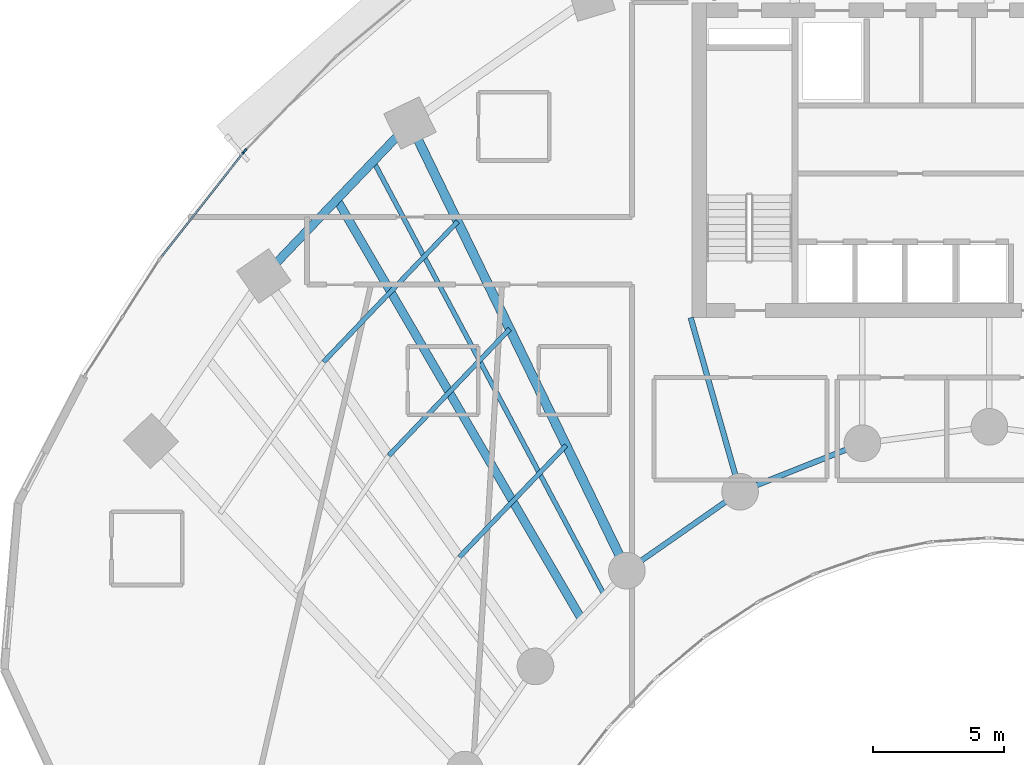
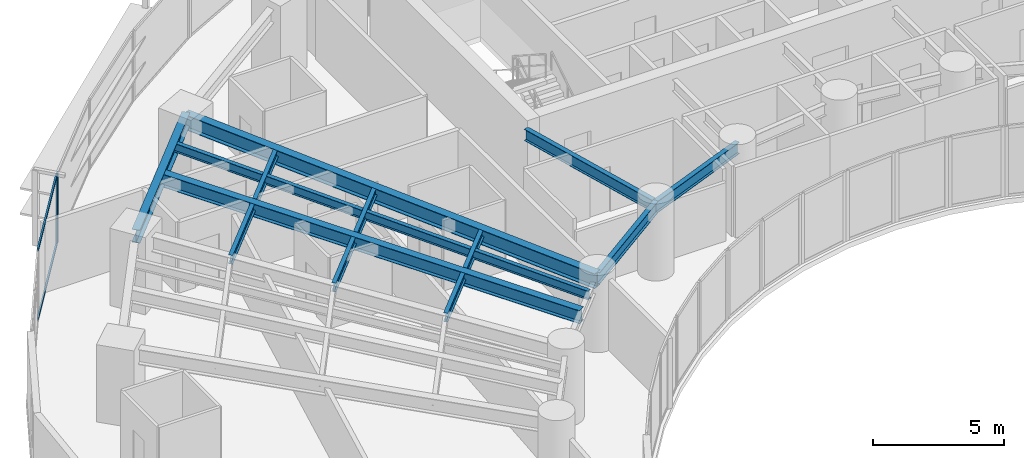
# One storey, part 3 of 17: 10 beams, 4 members, 2 elements without a shape of their own.
"""IFC4 building model written with IfcOpenShell, lengths in metres."""

from ifc_helpers import new_model, si_unit, direction, frame, origin, origin_2d, place, context, subcontext, project, spatial, rectangle, i_section, extrude, source, transform, mapped, material, layer, layer_set, material_profile, profile_set, type_object, type_shapes, element, aggregate, save


model = new_model("IFC4")

# Units and contexts
model_context = context("Model", 3, precision=1e-05, world=origin(), true_north=direction((0.0, 1.0)))
body_context = subcontext(model_context, "Body", "Model", "MODEL_VIEW")
ifc_project = project(units=[si_unit("LENGTHUNIT", "METRE"), si_unit("AREAUNIT", "SQUARE_METRE"), si_unit("VOLUMEUNIT", "CUBIC_METRE"), si_unit("PLANEANGLEUNIT", "RADIAN"), si_unit("MASSUNIT", "GRAM", prefix="KILO")], contexts=[model_context])

# Site, building, storey
site_placement = place(None, origin())
site = spatial("IfcSite", under=ifc_project, at=site_placement, CompositionType="ELEMENT")
building_placement = place(site_placement, origin())
building = spatial("IfcBuilding", under=site, at=building_placement, Name="Breltana Convention Tower", CompositionType="ELEMENT")
storey_placement = place(building_placement, frame((0.0, 0.0, 82.199951171875)))
storey = spatial("IfcBuildingStorey", under=building, at=storey_placement, Name="L19", CompositionType="ELEMENT", Elevation=82.199951171875)

# Beams
ifc_material_1 = material(Name="Steel ASTM A992 Grade 50", Category="steel")
ifc_material_profile_1 = material_profile(ifc_material_1, i_section(OverallWidth=0.323974609375, OverallDepth=0.611083984375, WebThickness=0.0126953125, FlangeThickness=0.01904296875, at=origin_2d()), Name="W24X104")
ifc_profile_set_1 = profile_set([ifc_material_profile_1], Name="Steel ASTM A992 Grade 50")
beam_type_1 = type_object("IfcBeamType", Name="BM-SP-W24X104", PredefinedType="SPANDREL", material=ifc_profile_set_1)
shared_shape_1 = source(origin(), body_context, "Body", "SweptSolid", [
    extrude(i_section(OverallWidth=0.323974609375, OverallDepth=0.611083984375, WebThickness=0.0126953125, FlangeThickness=0.01904296875, at=origin_2d()), origin(), (0.0, 0.0, 1.0), 8.073974609375),
])
beam_1_placement = place(storey_placement, frame((20.310791015625, 61.78857421875, 2.974609375), z_axis=(0.69072885448, 0.723113856588, 0.0), x_axis=(-0.723113856588, 0.69072885448, 0.0)))
element("IfcBeam", 1, at=beam_1_placement, inside=storey, type_object=beam_type_1, Name="L19 Outer Spandrel Beam 02", PredefinedType="SPANDREL", context=body_context, shape_type="MappedRepresentation", body=[
    mapped(shared_shape_1, transform((0.0, 0.0, 0.0), scale=1.0)),
])
ifc_material_profile_2 = material_profile(ifc_material_1, i_section(OverallWidth=0.35498046875, OverallDepth=0.696044921875, WebThickness=0.015380859375, FlangeThickness=0.02490234375, at=origin_2d()), Name="W27X146")
ifc_profile_set_2 = profile_set([ifc_material_profile_2], Name="Steel ASTM A992 Grade 50")
beam_type_2 = type_object("IfcBeamType", Name="BM-RG-W27X146", PredefinedType="USERDEFINED", material=ifc_profile_set_2)
shared_shape_2 = source(origin(), body_context, "Body", "SweptSolid", [
    extrude(i_section(OverallWidth=0.35498046875, OverallDepth=0.696044921875, WebThickness=0.015380859375, FlangeThickness=0.02490234375, at=origin_2d()), origin(), (0.0, 0.0, 1.0), 18.982421875),
])
beam_2_placement = place(storey_placement, frame((34.166259765625, 50.544921875, 2.93212890625), z_axis=(-0.436118560343, 0.89988921614, 0.0), x_axis=(-0.89988921614, -0.436118560343, 0.0)))
element("IfcBeam", 2, at=beam_2_placement, inside=storey, type_object=beam_type_2, Name="L19 Radial Floor Girder R03", ObjectType="GIRDER", PredefinedType="USERDEFINED", context=body_context, shape_type="MappedRepresentation", body=[
    mapped(shared_shape_2, transform((0.0, 0.0, 0.0), scale=1.0)),
])
ifc_material_profile_3 = material_profile(ifc_material_1, i_section(OverallWidth=0.2099609375, OverallDepth=0.537109375, WebThickness=0.010986328125, FlangeThickness=0.017333984375, at=origin_2d()), Name="W21X68")
ifc_profile_set_3 = profile_set([ifc_material_profile_3], Name="Steel ASTM A992 Grade 50")
beam_type_3 = type_object("IfcBeamType", Name="BM-BM-W21X68", PredefinedType="BEAM", material=ifc_profile_set_3)
shared_shape_3 = source(origin(), body_context, "Body", "SweptSolid", [
    extrude(i_section(OverallWidth=0.2099609375, OverallDepth=0.537109375, WebThickness=0.010986328125, FlangeThickness=0.017333984375, at=origin_2d()), origin(), (0.0, 0.0, 1.0), 6.904541015625),
])
type_shapes(beam_type_3, [shared_shape_3])
beam_3_placement = place(storey_placement, frame((36.60009765625, 60.199951171875, 3.011474609375), z_axis=(0.273006781054, -0.962012108811, 0.0), x_axis=(0.962012108811, 0.273006781054, 0.0)))
element("IfcBeam", 3, at=beam_3_placement, inside=storey, type_object=beam_type_3, Name="L19 South Core Tie Girder R04", PredefinedType="BEAM", context=body_context, shape_type="MappedRepresentation", body=[
    mapped(shared_shape_3, transform((0.0, 0.0, 0.0), scale=1.0)),
])
shared_shape_4 = source(origin(), body_context, "Body", "SweptSolid", [
    extrude(i_section(OverallWidth=0.2099609375, OverallDepth=0.537109375, WebThickness=0.010986328125, FlangeThickness=0.017333984375, at=origin_2d()), origin(), (0.0, 0.0, 1.0), 5.265869140625),
])
beam_4_placement = place(storey_placement, frame((34.166259765625, 50.544921875, 3.011474609375), z_axis=(0.820167429517, 0.572123577176, 0.0), x_axis=(-0.572123577176, 0.820167429517, 0.0)))
element("IfcBeam", 4, at=beam_4_placement, inside=storey, type_object=beam_type_3, Name="L19 Inner Ring Beam 03", PredefinedType="BEAM", context=body_context, shape_type="MappedRepresentation", body=[
    mapped(shared_shape_4, transform((0.0, 0.0, 0.0), scale=1.0)),
])
shared_shape_5 = source(origin(), body_context, "Body", "SweptSolid", [
    extrude(i_section(OverallWidth=0.2099609375, OverallDepth=0.537109375, WebThickness=0.010986328125, FlangeThickness=0.017333984375, at=origin_2d()), origin(), (0.0, 0.0, 1.0), 5.022705078125),
])
beam_5_placement = place(storey_placement, frame((38.485107421875, 53.5576171875, 3.011474609375), z_axis=(0.929458966248, 0.368925507469, 0.0), x_axis=(-0.368925507469, 0.929458966248, 0.0)))
element("IfcBeam", 5, at=beam_5_placement, inside=storey, type_object=beam_type_3, Name="L19 Inner Ring Beam 04", PredefinedType="BEAM", context=body_context, shape_type="MappedRepresentation", body=[
    mapped(shared_shape_5, transform((0.0, 0.0, 0.0), scale=1.0)),
])
ifc_material_profile_4 = material_profile(ifc_material_1, i_section(OverallWidth=0.179931640625, OverallDepth=0.4130859375, WebThickness=0.009765625, FlangeThickness=0.01611328125, at=origin_2d()), Name="W16X50")
ifc_profile_set_4 = profile_set([ifc_material_profile_4], Name="Steel ASTM A992 Grade 50")
beam_type_4 = type_object("IfcBeamType", Name="BM-JSG-08", PredefinedType="JOIST", material=ifc_profile_set_4)
shared_shape_6 = source(origin(), body_context, "Body", "SweptSolid", [
    extrude(i_section(OverallWidth=0.179931640625, OverallDepth=0.4130859375, WebThickness=0.009765625, FlangeThickness=0.01611328125, at=origin_2d()), origin(), (0.0, 0.0, 1.0), 5.8974609375),
])
beam_6_placement = place(storey_placement, frame((27.774658203125, 51.063232421875, 3.073486328125), z_axis=(0.690713978666, 0.723128065888, 0.0), x_axis=(-0.723128065888, 0.690713978666, 0.0)))
element("IfcBeam", 6, at=beam_6_placement, inside=storey, type_object=beam_type_4, Name="L19 Composite Floor Joist 02.1", PredefinedType="JOIST", context=body_context, shape_type="MappedRepresentation", body=[
    mapped(shared_shape_6, transform((0.0, 0.0, 0.0), scale=1.0)),
])
shared_shape_7 = source(origin(), body_context, "Body", "SweptSolid", [
    extrude(i_section(OverallWidth=0.179931640625, OverallDepth=0.4130859375, WebThickness=0.009765625, FlangeThickness=0.01611328125, at=origin_2d()), origin(), (0.0, 0.0, 1.0), 6.68359375),
])
beam_7_placement = place(storey_placement, frame((25.079345703125, 54.936279296875, 3.073486328125), z_axis=(0.690720705885, 0.723121640156, 0.0), x_axis=(-0.723121640156, 0.690720705885, 0.0)))
element("IfcBeam", 7, at=beam_7_placement, inside=storey, type_object=beam_type_4, Name="L19 Composite Floor Joist 02.2", PredefinedType="JOIST", context=body_context, shape_type="MappedRepresentation", body=[
    mapped(shared_shape_7, transform((0.0, 0.0, 0.0), scale=1.0)),
])
shared_shape_8 = source(origin(), body_context, "Body", "SweptSolid", [
    extrude(i_section(OverallWidth=0.179931640625, OverallDepth=0.4130859375, WebThickness=0.009765625, FlangeThickness=0.01611328125, at=origin_2d()), origin(), (0.0, 0.0, 1.0), 7.40869140625),
])
beam_8_placement = place(storey_placement, frame((22.591552734375, 58.511474609375, 3.073486328125), z_axis=(0.690724936208, 0.723117599358, 0.0), x_axis=(-0.723117599358, 0.690724936208, 0.0)))
element("IfcBeam", 8, at=beam_8_placement, inside=storey, type_object=beam_type_4, Name="L19 Composite Floor Joist 02.3", PredefinedType="JOIST", context=body_context, shape_type="MappedRepresentation", body=[
    mapped(shared_shape_8, transform((0.0, 0.0, 0.0), scale=1.0)),
])
ifc_material_profile_5 = material_profile(ifc_material_1, i_section(OverallWidth=0.323974609375, OverallDepth=0.611083984375, WebThickness=0.0126953125, FlangeThickness=0.01904296875, at=origin_2d()), Name="W24X104")
ifc_profile_set_5 = profile_set([ifc_material_profile_5], Name="Steel ASTM A992 Grade 50")
beam_type_5 = type_object("IfcBeamType", Name="BM-JSG-01", PredefinedType="JOIST", material=ifc_profile_set_5)
shared_shape_9 = source(origin(), body_context, "Body", "SweptSolid", [
    extrude(i_section(OverallWidth=0.323974609375, OverallDepth=0.611083984375, WebThickness=0.0126953125, FlangeThickness=0.01904296875, at=origin_2d()), origin(), (0.0, 0.0, 1.0), 18.50830078125),
])
beam_9_placement = place(storey_placement, frame((32.421630859375, 48.71875, 2.974609375), z_axis=(-0.50368319637, 0.863888440537, 0.0), x_axis=(-0.863888440537, -0.50368319637, 0.0)))
element("IfcBeam", 9, at=beam_9_placement, inside=storey, type_object=beam_type_5, Name="L19 Mid-Bay Radial Trimmer 02", PredefinedType="JOIST", context=body_context, shape_type="MappedRepresentation", body=[
    mapped(shared_shape_9, transform((0.0, 0.0, 0.0), scale=1.0)),
])
shared_shape_10 = source(origin(), body_context, "Body", "SweptSolid", [
    extrude(i_section(OverallWidth=0.179931640625, OverallDepth=0.4130859375, WebThickness=0.009765625, FlangeThickness=0.01611328125, at=origin_2d()), origin(), (0.0, 0.0, 1.0), 18.731689453125),
])
beam_10_placement = place(storey_placement, frame((33.2939453125, 49.6318359375, 3.073486328125), z_axis=(-0.469820250451, 0.882762104004, 0.0), x_axis=(-0.882762104004, -0.469820250451, 0.0)))
element("IfcBeam", 10, at=beam_10_placement, inside=storey, type_object=beam_type_4, Name="L19 Quarter-Bay Radial Trimmer 02", PredefinedType="JOIST", context=body_context, shape_type="MappedRepresentation", body=[
    mapped(shared_shape_10, transform((0.0, 0.0, 0.0), scale=1.0)),
])

# Curtain wall, members
ifc_material_2 = material(Name="Aluminium Anodised Bronze Frame", Category="aluminium")
ifc_layer = layer(ifc_material_2, 0.199951171875, Name="Aluminium Anodised Bronze Frame")
ifc_layer_set = layer_set([ifc_layer], Name="Aluminium Anodised Bronze Frame")
curtain_wall_type = type_object("IfcCurtainWallType", Name="CW-SYS-2", PredefinedType="NOTDEFINED", material=ifc_layer_set)
curtain_wall_1_placement = place(storey_placement, origin())
curtain_wall_1 = element("IfcCurtainWall", 11, at=curtain_wall_1_placement, inside=storey, type_object=curtain_wall_type, Name="L19 outer double-skin inner glazing 2", PredefinedType="NOTDEFINED")
ifc_material_3 = material(Name="Aluminium Anodised Bronze", Category="aluminium")
ifc_material_profile_6 = material_profile(ifc_material_3, rectangle(XDim=0.070068359375, YDim=0.1201171875, at=origin_2d()), Name="CWT-70X120")
ifc_profile_set_6 = profile_set([ifc_material_profile_6], Name="Aluminium Anodised Bronze")
member_type_1 = type_object("IfcMemberType", Name="CWT-120", PredefinedType="USERDEFINED", material=ifc_profile_set_6)
shared_shape_11 = source(origin(), body_context, "Body", "SweptSolid", [
    extrude(rectangle(XDim=0.070068359375, YDim=0.1201171875, at=origin_2d()), origin(), (0.0, 0.0, 1.0), 5.0546875),
])
member_1_placement = place(storey_placement, frame((16.39892578125, 62.51806640625, 0.03515625), z_axis=(0.618135067667, 0.786071903913, 0.0), x_axis=(-0.786071903913, 0.618135067667, 0.0)))
member_1 = element("IfcMember", 12, at=member_1_placement, type_object=member_type_1, Name="CW-02 transom 1.1", ObjectType="TRANSOM", PredefinedType="USERDEFINED", context=body_context, shape_type="MappedRepresentation", body=[
    mapped(shared_shape_11, transform((0.0, 0.0, 0.0), scale=1.0)),
])
member_2_placement = place(storey_placement, frame((16.39892578125, 62.51806640625, 3.2451171875), z_axis=(0.618135067667, 0.786071903913, 0.0), x_axis=(-0.786071903913, 0.618135067667, 0.0)))
member_2 = element("IfcMember", 13, at=member_2_placement, type_object=member_type_1, Name="CW-02 transom 1.2", ObjectType="TRANSOM", PredefinedType="USERDEFINED", context=body_context, shape_type="MappedRepresentation", body=[
    mapped(shared_shape_11, transform((0.0, 0.0, 0.0), scale=1.0)),
])
ifc_material_profile_7 = material_profile(ifc_material_3, rectangle(XDim=0.070068359375, YDim=0.175048828125, at=origin_2d()), Name="CWM-70X175")
ifc_profile_set_7 = profile_set([ifc_material_profile_7], Name="Aluminium Anodised Bronze")
member_type_2 = type_object("IfcMemberType", Name="CWM-175", PredefinedType="MULLION", material=ifc_profile_set_7)
shared_shape_12 = source(origin(), body_context, "Body", "SweptSolid", [
    extrude(rectangle(XDim=0.070068359375, YDim=0.175048828125, at=origin_2d()), origin(), (0.0, 0.0, 1.0), 3.280029296875),
])
member_3_placement = place(storey_placement, frame((19.545166015625, 66.518798828125, 0.0), z_axis=(0.0, 0.0, 1.0), x_axis=(-0.786057080698, 0.618153917633, 0.0)))
member_3 = element("IfcMember", 14, at=member_3_placement, type_object=member_type_2, Name="CW-02 mullion 2", PredefinedType="MULLION", context=body_context, shape_type="MappedRepresentation", body=[
    mapped(shared_shape_12, transform((0.0, 0.0, 0.0), scale=1.0)),
])
aggregate(curtain_wall_1, [member_3, member_1, member_2])

# Curtain wall, member
curtain_wall_2_placement = place(storey_placement, origin())
curtain_wall_2 = element("IfcCurtainWall", 15, at=curtain_wall_2_placement, inside=storey, type_object=curtain_wall_type, Name="L19 outer double-skin inner glazing 3", PredefinedType="NOTDEFINED")
member_4_placement = place(storey_placement, frame((19.591064453125, 66.571533203125, 0.0), z_axis=(0.0, 0.0, 1.0), x_axis=(-0.719386421003, 0.694610090106, 0.0)))
member_4 = element("IfcMember", 16, at=member_4_placement, type_object=member_type_2, Name="CW-02 mullion 1", PredefinedType="MULLION", context=body_context, shape_type="MappedRepresentation", body=[
    mapped(shared_shape_12, transform((0.0, 0.0, 0.0), scale=1.0)),
])
aggregate(curtain_wall_2, [member_4])

save(model, "model.ifc")
